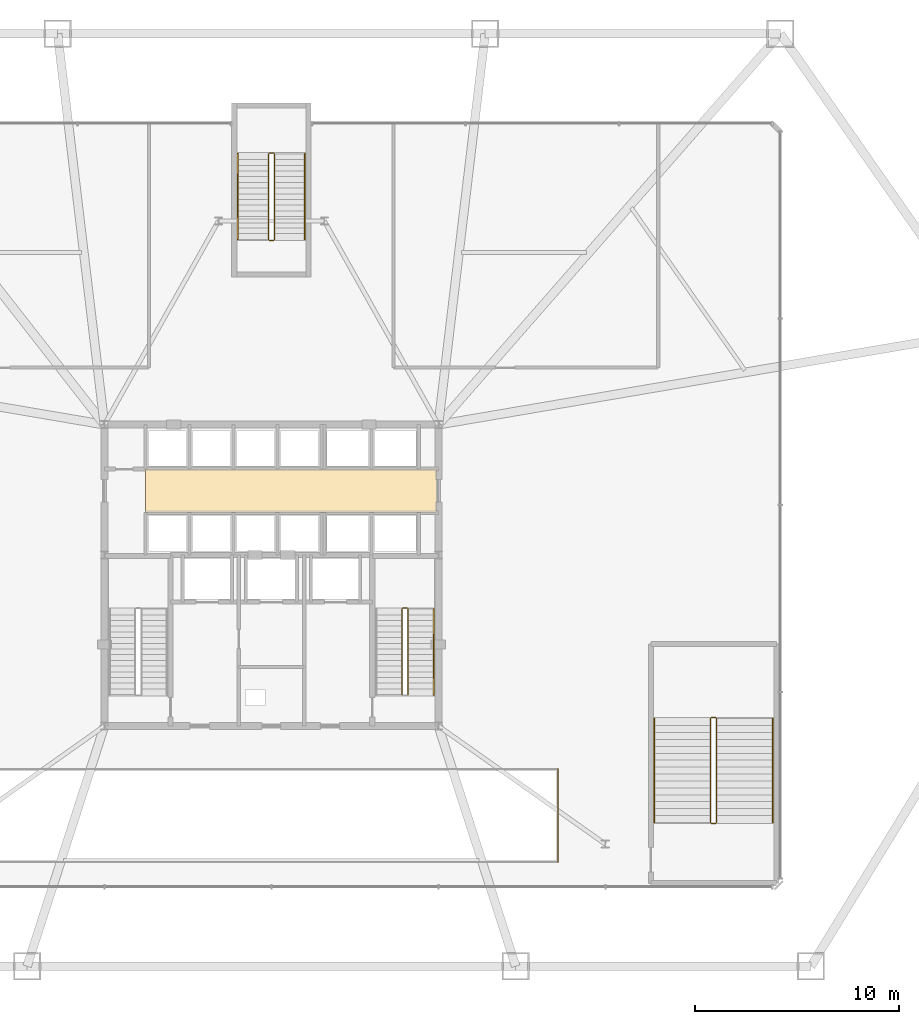
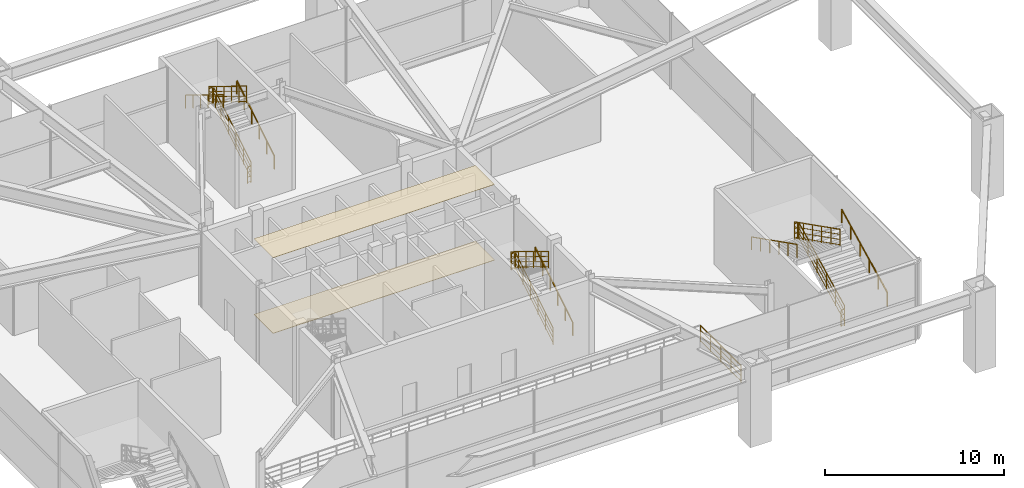
# One storey, part 18 of 18: 17 railings, 2 coverings.
"""IFC4 building model written with IfcOpenShell, lengths in metres."""

import ifcopenshell
import ifcopenshell.guid

model = None  # the IFC model being written
_history = None  # IfcOwnerHistory: only IFC2X3 demands one
_inside = {}  # id of a spatial element -> (the spatial element, [elements in it])
_under = {}  # id of a project, library or spatial element -> (it, [spatial elements below it])
_declared = {}  # id of a project -> (the project, [libraries it declares])
_typed = {}  # id of a type object -> (the type object, [elements of that type])
_made_of = {}  # id of a material, layer set ... -> (it, [elements and type objects made of it])


def new_model(schema):
    """Start an empty IFC model of exactly this schema.

    Asked for "IFC4X3", IfcOpenShell would pick the latest addendum, in which some entities
    have other attributes; the version numbers below select the first issue.
    IFC2X3 requires an IfcOwnerHistory on every rooted entity: one is made here for all.
    """
    global model, _history
    if schema == "IFC4X3":
        model = ifcopenshell.file(schema_version=(4, 3, 0, 0))
    else:
        model = ifcopenshell.file(schema=schema)
    _inside.clear()
    _under.clear()
    _declared.clear()
    _typed.clear()
    _made_of.clear()
    _history = None
    if model.schema == "IFC2X3":
        org = make("IfcOrganization", Name="unknown")
        user = make(
            "IfcPersonAndOrganization",
            ThePerson=make("IfcPerson", FamilyName="unknown"),
            TheOrganization=org,
        )
        app = make(
            "IfcApplication",
            ApplicationDeveloper=org,
            Version="unknown",
            ApplicationFullName="unknown",
            ApplicationIdentifier="unknown",
        )
        _history = make(
            "IfcOwnerHistory",
            OwningUser=user,
            OwningApplication=app,
            ChangeAction="ADDED",
            CreationDate=0,
        )
    return model


def make(cls, **values):
    """One entity of the class cls with the attributes given. An attribute that is None is left unset."""
    return model.create_entity(
        cls, **{name: value for name, value in values.items() if value is not None}
    )


def rooted(cls, **values):
    """An entity with a GlobalId (a new one), such as an element, a storey or a relation."""
    return make(cls, GlobalId=ifcopenshell.guid.new(), OwnerHistory=_history, **values)


def si_unit(unit_type, name, prefix=None):
    """IfcSIUnit, for example si_unit("LENGTHUNIT", "METRE", prefix="MILLI")."""
    return make("IfcSIUnit", UnitType=unit_type, Prefix=prefix, Name=name)


def assignment(units):
    """IfcUnitAssignment: the units of a project."""
    return None if units is None else make("IfcUnitAssignment", Units=units)


def point(xyz):
    """IfcCartesianPoint."""
    return None if xyz is None else make("IfcCartesianPoint", Coordinates=xyz)


def direction(xyz):
    """IfcDirection."""
    return None if xyz is None else make("IfcDirection", DirectionRatios=xyz)


def frame(location, z_axis=None, x_axis=None):
    """IfcAxis2Placement3D, a coordinate frame: its origin and axes. An axis left out is left unset."""
    return make(
        "IfcAxis2Placement3D",
        Location=point(location),
        Axis=direction(z_axis),
        RefDirection=direction(x_axis),
    )


def frame_2d(location, x_axis=None):
    """IfcAxis2Placement2D, a coordinate frame in the plane: its origin and x axis."""
    return make(
        "IfcAxis2Placement2D", Location=point(location), RefDirection=direction(x_axis)
    )


def origin():
    """The frame at (0, 0, 0) with its axes left unset."""
    return frame((0.0, 0.0, 0.0))


def origin_2d():
    """The frame at (0, 0) in the plane with its x axis left unset."""
    return frame_2d((0.0, 0.0))


def place(relative_to, where):
    """IfcLocalPlacement: puts the frame where relative to a parent placement (None: the world)."""
    return make(
        "IfcLocalPlacement", PlacementRelTo=relative_to, RelativePlacement=where
    )


def context(
    kind, dimensions, precision=None, world=None, true_north=None, identifier=None
):
    """IfcGeometricRepresentationContext, for example the 3D "Model" context."""
    return make(
        "IfcGeometricRepresentationContext",
        ContextIdentifier=identifier,
        ContextType=kind,
        CoordinateSpaceDimension=dimensions,
        Precision=precision,
        WorldCoordinateSystem=world,
        TrueNorth=true_north,
    )


def subcontext(parent, identifier, kind, view, scale=None):
    """IfcGeometricRepresentationSubContext, for example "Body" below "Model"."""
    return make(
        "IfcGeometricRepresentationSubContext",
        ContextIdentifier=identifier,
        ContextType=kind,
        ParentContext=parent,
        TargetScale=scale,
        TargetView=view,
    )


def project(units=None, contexts=None):
    """IfcProject with its units and contexts."""
    return rooted(
        "IfcProject",
        Name="project",
        RepresentationContexts=contexts,
        UnitsInContext=assignment(units),
    )


def spatial(cls, under=None, at=None, **own):
    """A site, building, storey or space (cls), placed at a placement, below another one or the project."""
    s = rooted(cls, ObjectPlacement=at, **own)
    if under is not None:
        _under.setdefault(under.id(), (under, []))[1].append(s)
    return s


def polyline(points):
    """IfcPolyline through the points."""
    return make("IfcPolyline", Points=[point(p) for p in points])


def profile(cls, at=None, kind="AREA", **sizes):
    """A parametric profile (cls). Its sizes go by their IFC names, for example OverallWidth=200.0."""
    return make(cls, ProfileType=kind, Position=at, **sizes)


def rectangle(**sizes):
    """IfcRectangleProfileDef."""
    return profile("IfcRectangleProfileDef", **sizes)


def outline(outer, holes=None, kind="AREA"):
    """IfcArbitraryClosedProfileDef: a profile drawn as a closed curve; with holes, ...WithVoids."""
    if holes is None:
        return make("IfcArbitraryClosedProfileDef", ProfileType=kind, OuterCurve=outer)
    return make(
        "IfcArbitraryProfileDefWithVoids",
        ProfileType=kind,
        OuterCurve=outer,
        InnerCurves=holes,
    )


def extrude(swept, where, along, depth):
    """IfcExtrudedAreaSolid: the profile swept, set in the frame where, extruded along a direction by depth."""
    return make(
        "IfcExtrudedAreaSolid",
        SweptArea=swept,
        Position=where,
        ExtrudedDirection=direction(along),
        Depth=depth,
    )


def shape(context_of_items, identifier, shape_type, items):
    """IfcShapeRepresentation: the items that make up one representation, for example the "Body"."""
    return make(
        "IfcShapeRepresentation",
        ContextOfItems=context_of_items,
        RepresentationIdentifier=identifier,
        RepresentationType=shape_type,
        Items=items,
    )


def material(Name=None, Category=None):
    """IfcMaterial."""
    return make("IfcMaterial", Name=Name, Category=Category)


def layer(
    of_material, thickness, ventilated=None, Name=None, Category=None, Priority=None
):
    """IfcMaterialLayer: one layer of a wall or slab, of a material (None: an air gap)."""
    return make(
        "IfcMaterialLayer",
        Material=of_material,
        LayerThickness=thickness,
        IsVentilated=ventilated,
        Name=Name,
        Category=Category,
        Priority=Priority,
    )


def layer_set(layers, Name=None):
    """IfcMaterialLayerSet."""
    return make("IfcMaterialLayerSet", MaterialLayers=layers, LayerSetName=Name)


def made_of(thing, what):
    """Note that an element or type object is made of a material, layer set ...; save() writes the relation."""
    if what is not None:
        _made_of.setdefault(what.id(), (what, []))[1].append(thing)
    return thing


def type_object(cls, material=None, **own):
    """A type object (cls), such as IfcWallType, which elements share."""
    return made_of(rooted(cls, **own), material)


def element(
    cls,
    number,
    at=None,
    inside=None,
    cuts=None,
    type_object=None,
    material=None,
    context=None,
    identifier="Body",
    shape_type=None,
    held_by="IfcProductDefinitionShape",
    body=None,
    shapes=None,
    **own,
):
    """One element of the class cls, such as IfcWall. Its Tag is "e" and its number.

    at: its placement. inside: the storey or other place that contains it. cuts: it is an
    opening in that element (IfcRelVoidsElement). A single representation is given by context,
    identifier, shape_type and body (its items); several are given by shapes. held_by: the class
    of the entity that holds the representations. save() writes the other relations.
    """
    e = rooted(cls, Tag="e%d" % number, ObjectPlacement=at, **own)
    if body is not None:
        shapes = [shape(context, identifier, shape_type, body)]
    if shapes is not None:
        e.Representation = make(held_by, Representations=shapes)
    if inside is not None:
        _inside.setdefault(inside.id(), (inside, []))[1].append(e)
    if cuts is not None:
        rooted(
            "IfcRelVoidsElement", RelatingBuildingElement=cuts, RelatedOpeningElement=e
        )
    if type_object is not None:
        _typed.setdefault(type_object.id(), (type_object, []))[1].append(e)
    return made_of(e, material)


def aggregate(whole, parts):
    """IfcRelAggregates: a whole, such as a stair, and the parts it consists of."""
    return rooted("IfcRelAggregates", RelatingObject=whole, RelatedObjects=parts)


def save(model, path):
    """Write the relations noted so far, then the file.

    IfcRelAggregates (storeys below a building ...), IfcRelContainedInSpatialStructure (elements
    in a storey), IfcRelDefinesByType, IfcRelAssociatesMaterial and IfcRelDeclares: one each for
    every whole, place, type object, material and project.
    """
    for whole, parts in _under.values():
        aggregate(whole, parts)
    for where, things in _inside.values():
        rooted(
            "IfcRelContainedInSpatialStructure",
            RelatedElements=things,
            RelatingStructure=where,
        )
    for kind, things in _typed.values():
        rooted("IfcRelDefinesByType", RelatedObjects=things, RelatingType=kind)
    for what, things in _made_of.values():
        rooted("IfcRelAssociatesMaterial", RelatedObjects=things, RelatingMaterial=what)
    for by, libraries in _declared.values():
        rooted("IfcRelDeclares", RelatingContext=by, RelatedDefinitions=libraries)
    model.write(path)


model = new_model("IFC4")

# Units and contexts
model_context = context("Model", 3, precision=1e-05, world=origin(), true_north=direction((0.0, 1.0)))
body_context = subcontext(model_context, "Body", "Model", "MODEL_VIEW")
ifc_project = project(units=[si_unit("LENGTHUNIT", "METRE"), si_unit("AREAUNIT", "SQUARE_METRE"), si_unit("VOLUMEUNIT", "CUBIC_METRE"), si_unit("PLANEANGLEUNIT", "RADIAN"), si_unit("MASSUNIT", "GRAM", prefix="KILO")], contexts=[model_context])

# Site, building, storey
site_placement = place(None, origin())
site = spatial("IfcSite", under=ifc_project, at=site_placement, CompositionType="ELEMENT")
building_placement = place(site_placement, origin())
building = spatial("IfcBuilding", under=site, at=building_placement, Name="Varakhsha Concourse Tower", CompositionType="ELEMENT")
storey_placement = place(building_placement, frame((0.0, 0.0, 5.5)))
storey = spatial("IfcBuildingStorey", under=building, at=storey_placement, Name="L02", CompositionType="ELEMENT", Elevation=5.5)

# Coverings
ifc_material_1 = material(Name="Mineral Fibre Acoustic Lay-In Ceiling Tile 20 mm", Category="mineral")
ifc_layer_1 = layer(ifc_material_1, 0.02001953125, Name="COV-CEIL-20")
ifc_layer_set_1 = layer_set([ifc_layer_1], Name="Mineral Fibre Acoustic Lay-In Ceiling Tile 20 mm")
covering_type_1 = type_object("IfcCoveringType", Name="COV-CEIL-20", PredefinedType="CEILING", material=ifc_layer_set_1)
covering_1_placement = place(storey_placement, frame((0.0, 0.0, 5.159912109375)))
element("IfcCovering", 1, at=covering_1_placement, inside=storey, type_object=covering_type_1, Name="L02 Lift Lobby Acoustic Ceiling", PredefinedType="CEILING", context=body_context, shape_type="SweptSolid", body=[
    extrude(outline(polyline([(33.820068359375, 26.8798828125), (48.10009765625, 26.8798828125), (48.10009765625, 29.02001953125), (33.820068359375, 29.02001953125), (33.820068359375, 26.8798828125)])), origin(), (0.0, 0.0, 1.0), 0.02001953125),
])
ifc_material_2 = material(Name="Polished Samarkand Aggregate Terrazzo Flooring 25 mm", Category="concrete")
ifc_layer_2 = layer(ifc_material_2, 0.02490234375, Name="COV-FLOOR-25")
ifc_layer_set_2 = layer_set([ifc_layer_2], Name="Polished Samarkand Aggregate Terrazzo Flooring 25 mm")
covering_type_2 = type_object("IfcCoveringType", Name="COV-FLOOR-25", PredefinedType="FLOORING", material=ifc_layer_set_2)
covering_2_placement = place(storey_placement, origin())
element("IfcCovering", 2, at=covering_2_placement, inside=storey, type_object=covering_type_2, Name="L02 Lift Lobby Terrazzo Flooring", PredefinedType="FLOORING", context=body_context, shape_type="SweptSolid", body=[
    extrude(outline(polyline([(33.820068359375, 26.8798828125), (48.10009765625, 26.8798828125), (48.10009765625, 29.02001953125), (33.820068359375, 29.02001953125), (33.820068359375, 26.8798828125)])), origin(), (0.0, 0.0, 1.0), 0.02490234375),
])

# Railings
ifc_material_3 = material(Name="Brushed Austenitic Stainless Steel AISI 316", Category="steel")
railing_type_1 = type_object("IfcRailingType", Name="RL-INT-GUARD-1120", PredefinedType="GUARDRAIL", material=ifc_material_3)
railing_1_placement = place(storey_placement, frame((54.080078125, 9.719970703125, 0.0)))
element("IfcRailing", 3, at=railing_1_placement, inside=storey, type_object=railing_type_1, Name="L02 Concourse Atrium Balustrade 2", PredefinedType="GUARDRAIL", context=body_context, shape_type="SweptSolid", body=[
    extrude(rectangle(XDim=0.048095703125, YDim=0.048095703125, at=origin_2d()), frame((0.0, 0.0, 1.1259765625), z_axis=(0.0, 1.0, 0.0), x_axis=(-1.0, 0.0, 0.0)), (0.0, 0.0, 1.0), 4.56005859375),
    extrude(rectangle(XDim=0.028076171875, YDim=0.028076171875, at=origin_2d()), frame((0.0, 0.0, 0.080078125), z_axis=(0.0, 1.0, 0.0), x_axis=(-1.0, 0.0, 0.0)), (0.0, 0.0, 1.0), 4.56005859375),
    extrude(rectangle(XDim=0.028076171875, YDim=0.028076171875, at=origin_2d()), frame((0.0, 0.0, 0.43701171875), z_axis=(0.0, 1.0, 0.0), x_axis=(-1.0, 0.0, 0.0)), (0.0, 0.0, 1.0), 4.56005859375),
    extrude(rectangle(XDim=0.028076171875, YDim=0.028076171875, at=origin_2d()), frame((0.0, 0.0, 0.781982421875), z_axis=(0.0, 1.0, 0.0), x_axis=(-1.0, 0.0, 0.0)), (0.0, 0.0, 1.0), 4.56005859375),
    extrude(rectangle(XDim=0.0419921875, YDim=0.0419921875, at=origin_2d()), origin(), (0.0, 0.0, 1.0), 1.101806640625),
    extrude(rectangle(XDim=0.0419921875, YDim=0.0419921875, at=origin_2d()), frame((0.0, 1.14013671875, 0.0)), (0.0, 0.0, 1.0), 1.101806640625),
    extrude(rectangle(XDim=0.0419921875, YDim=0.0419921875, at=origin_2d()), frame((0.0, 2.280029296875, 0.0)), (0.0, 0.0, 1.0), 1.101806640625),
    extrude(rectangle(XDim=0.0419921875, YDim=0.0419921875, at=origin_2d()), frame((0.0, 3.419921875, 0.0)), (0.0, 0.0, 1.0), 1.101806640625),
    extrude(rectangle(XDim=0.0419921875, YDim=0.0419921875, at=origin_2d()), frame((0.0, 4.56005859375, 0.0)), (0.0, 0.0, 1.0), 1.101806640625),
])
railing_type_2 = type_object("IfcRailingType", Name="RL-STAIR-GUARD-1100", PredefinedType="GUARDRAIL", material=ifc_material_3)
railing_2_placement = place(storey_placement, frame((46.7099609375, 17.93994140625, 0.171875)))
element("IfcRailing", 4, at=railing_2_placement, inside=storey, type_object=railing_type_2, Name="L02 ST2 stair guard 1", PredefinedType="GUARDRAIL", context=body_context, shape_type="SweptSolid", body=[
    extrude(rectangle(XDim=0.048095703125, YDim=0.048095703125, at=origin_2d()), frame((0.0, 0.0, 1.1259765625), z_axis=(0.0, 0.852242915053, 0.523146264196), x_axis=(-1.0, 0.0, 0.0)), (0.0, 0.0, 1.0), 4.92822265625),
    extrude(rectangle(XDim=0.028076171875, YDim=0.028076171875, at=origin_2d()), frame((0.0, 0.0, 0.080078125), z_axis=(0.0, 0.852242915053, 0.523146264196), x_axis=(-1.0, 0.0, 0.0)), (0.0, 0.0, 1.0), 4.92822265625),
    extrude(rectangle(XDim=0.028076171875, YDim=0.028076171875, at=origin_2d()), frame((0.0, 0.0, 0.43701171875), z_axis=(0.0, 0.852242915053, 0.523146264196), x_axis=(-1.0, 0.0, 0.0)), (0.0, 0.0, 1.0), 4.92822265625),
    extrude(rectangle(XDim=0.028076171875, YDim=0.028076171875, at=origin_2d()), frame((0.0, 0.0, 0.781982421875), z_axis=(0.0, 0.852242915053, 0.523146264196), x_axis=(-1.0, 0.0, 0.0)), (0.0, 0.0, 1.0), 4.92822265625),
    extrude(rectangle(XDim=0.0419921875, YDim=0.0419921875, at=origin_2d()), origin(), (0.0, 0.0, 1.0), 1.101806640625),
    extrude(rectangle(XDim=0.0419921875, YDim=0.0419921875, at=origin_2d()), frame((0.0, 0.840087890625, 0.515625)), (0.0, 0.0, 1.0), 1.101806640625),
    extrude(rectangle(XDim=0.0419921875, YDim=0.0419921875, at=origin_2d()), frame((0.0, 1.679931640625, 1.03125)), (0.0, 0.0, 1.0), 1.101806640625),
    extrude(rectangle(XDim=0.0419921875, YDim=0.0419921875, at=origin_2d()), frame((0.0, 2.52001953125, 1.546875)), (0.0, 0.0, 1.0), 1.101806640625),
    extrude(rectangle(XDim=0.0419921875, YDim=0.0419921875, at=origin_2d()), frame((0.0, 3.35986328125, 2.0625)), (0.0, 0.0, 1.0), 1.101806640625),
    extrude(rectangle(XDim=0.0419921875, YDim=0.0419921875, at=origin_2d()), frame((0.0, 4.199951171875, 2.578125)), (0.0, 0.0, 1.0), 1.101806640625),
])
railing_3_placement = place(storey_placement, frame((46.659912109375, 22.18994140625, 2.75)))
element("IfcRailing", 5, at=railing_3_placement, inside=storey, type_object=railing_type_2, Name="L02 ST2 stair guard 2", PredefinedType="GUARDRAIL", context=body_context, shape_type="SweptSolid", body=[
    extrude(rectangle(XDim=0.048095703125, YDim=0.048095703125, at=origin_2d()), frame((0.0, 0.0, 1.1259765625), z_axis=(-1.0, 0.0, 0.0), x_axis=(0.0, -1.0, 0.0)), (0.0, 0.0, 1.0), 0.199951171875),
    extrude(rectangle(XDim=0.028076171875, YDim=0.028076171875, at=origin_2d()), frame((0.0, 0.0, 0.080078125), z_axis=(-1.0, 0.0, 0.0), x_axis=(0.0, -1.0, 0.0)), (0.0, 0.0, 1.0), 0.199951171875),
    extrude(rectangle(XDim=0.028076171875, YDim=0.028076171875, at=origin_2d()), frame((0.0, 0.0, 0.43701171875), z_axis=(-1.0, 0.0, 0.0), x_axis=(0.0, -1.0, 0.0)), (0.0, 0.0, 1.0), 0.199951171875),
    extrude(rectangle(XDim=0.028076171875, YDim=0.028076171875, at=origin_2d()), frame((0.0, 0.0, 0.781982421875), z_axis=(-1.0, 0.0, 0.0), x_axis=(0.0, -1.0, 0.0)), (0.0, 0.0, 1.0), 0.199951171875),
    extrude(rectangle(XDim=0.0419921875, YDim=0.0419921875, at=origin_2d()), origin(), (0.0, 0.0, 1.0), 1.101806640625),
    extrude(rectangle(XDim=0.0419921875, YDim=0.0419921875, at=origin_2d()), frame((-0.199951171875, 0.0, 0.0)), (0.0, 0.0, 1.0), 1.101806640625),
])
railing_4_placement = place(storey_placement, frame((46.409912109375, 22.139892578125, 2.921875)))
element("IfcRailing", 6, at=railing_4_placement, inside=storey, type_object=railing_type_2, Name="L02 ST2 stair guard 3", PredefinedType="GUARDRAIL", context=body_context, shape_type="SweptSolid", body=[
    extrude(rectangle(XDim=0.048095703125, YDim=0.048095703125, at=origin_2d()), frame((0.0, 0.0, 1.1259765625), z_axis=(0.0, -0.852242915053, 0.523146264196), x_axis=(1.0, 0.0, 0.0)), (0.0, 0.0, 1.0), 4.92822265625),
    extrude(rectangle(XDim=0.028076171875, YDim=0.028076171875, at=origin_2d()), frame((0.0, 0.0, 0.080078125), z_axis=(0.0, -0.852242915053, 0.523146264196), x_axis=(1.0, 0.0, 0.0)), (0.0, 0.0, 1.0), 4.92822265625),
    extrude(rectangle(XDim=0.028076171875, YDim=0.028076171875, at=origin_2d()), frame((0.0, 0.0, 0.43701171875), z_axis=(0.0, -0.852242915053, 0.523146264196), x_axis=(1.0, 0.0, 0.0)), (0.0, 0.0, 1.0), 4.92822265625),
    extrude(rectangle(XDim=0.028076171875, YDim=0.028076171875, at=origin_2d()), frame((0.0, 0.0, 0.781982421875), z_axis=(0.0, -0.852242915053, 0.523146264196), x_axis=(1.0, 0.0, 0.0)), (0.0, 0.0, 1.0), 4.92822265625),
    extrude(rectangle(XDim=0.0419921875, YDim=0.0419921875, at=origin_2d()), origin(), (0.0, 0.0, 1.0), 1.101806640625),
    extrude(rectangle(XDim=0.0419921875, YDim=0.0419921875, at=origin_2d()), frame((0.0, -0.840087890625, 0.515625)), (0.0, 0.0, 1.0), 1.101806640625),
    extrude(rectangle(XDim=0.0419921875, YDim=0.0419921875, at=origin_2d()), frame((0.0, -1.679931640625, 1.03125)), (0.0, 0.0, 1.0), 1.101806640625),
    extrude(rectangle(XDim=0.0419921875, YDim=0.0419921875, at=origin_2d()), frame((0.0, -2.52001953125, 1.546875)), (0.0, 0.0, 1.0), 1.101806640625),
    extrude(rectangle(XDim=0.0419921875, YDim=0.0419921875, at=origin_2d()), frame((0.0, -3.35986328125, 2.0625)), (0.0, 0.0, 1.0), 1.101806640625),
    extrude(rectangle(XDim=0.0419921875, YDim=0.0419921875, at=origin_2d()), frame((0.0, -4.199951171875, 2.578125)), (0.0, 0.0, 1.0), 1.101806640625),
])
railing_5_placement = place(storey_placement, frame((61.8701171875, 11.659912109375, 0.171875)))
element("IfcRailing", 7, at=railing_5_placement, inside=storey, type_object=railing_type_2, Name="L02 ST4 stair guard 1", PredefinedType="GUARDRAIL", context=body_context, shape_type="SweptSolid", body=[
    extrude(rectangle(XDim=0.048095703125, YDim=0.048095703125, at=origin_2d()), frame((0.0, 0.0, 1.1259765625), z_axis=(0.0, 0.892453363607, 0.451139661067), x_axis=(-1.0, 0.0, 0.0)), (0.0, 0.0, 1.0), 5.714599609375),
    extrude(rectangle(XDim=0.028076171875, YDim=0.028076171875, at=origin_2d()), frame((0.0, 0.0, 0.080078125), z_axis=(0.0, 0.892453363607, 0.451139661067), x_axis=(-1.0, 0.0, 0.0)), (0.0, 0.0, 1.0), 5.714599609375),
    extrude(rectangle(XDim=0.028076171875, YDim=0.028076171875, at=origin_2d()), frame((0.0, 0.0, 0.43701171875), z_axis=(0.0, 0.892453363607, 0.451139661067), x_axis=(-1.0, 0.0, 0.0)), (0.0, 0.0, 1.0), 5.714599609375),
    extrude(rectangle(XDim=0.028076171875, YDim=0.028076171875, at=origin_2d()), frame((0.0, 0.0, 0.781982421875), z_axis=(0.0, 0.892453363607, 0.451139661067), x_axis=(-1.0, 0.0, 0.0)), (0.0, 0.0, 1.0), 5.714599609375),
    extrude(rectangle(XDim=0.0419921875, YDim=0.0419921875, at=origin_2d()), origin(), (0.0, 0.0, 1.0), 1.101806640625),
    extrude(rectangle(XDim=0.0419921875, YDim=0.0419921875, at=origin_2d()), frame((0.0, 1.02001953125, 0.515625)), (0.0, 0.0, 1.0), 1.101806640625),
    extrude(rectangle(XDim=0.0419921875, YDim=0.0419921875, at=origin_2d()), frame((0.0, 2.0400390625, 1.03125)), (0.0, 0.0, 1.0), 1.101806640625),
    extrude(rectangle(XDim=0.0419921875, YDim=0.0419921875, at=origin_2d()), frame((0.0, 3.06005859375, 1.546875)), (0.0, 0.0, 1.0), 1.101806640625),
    extrude(rectangle(XDim=0.0419921875, YDim=0.0419921875, at=origin_2d()), frame((0.0, 4.080078125, 2.0625)), (0.0, 0.0, 1.0), 1.101806640625),
    extrude(rectangle(XDim=0.0419921875, YDim=0.0419921875, at=origin_2d()), frame((0.0, 5.10009765625, 2.578125)), (0.0, 0.0, 1.0), 1.101806640625),
])
railing_6_placement = place(storey_placement, frame((61.820068359375, 16.81005859375, 2.75)))
element("IfcRailing", 8, at=railing_6_placement, inside=storey, type_object=railing_type_2, Name="L02 ST4 stair guard 2", PredefinedType="GUARDRAIL", context=body_context, shape_type="SweptSolid", body=[
    extrude(rectangle(XDim=0.048095703125, YDim=0.048095703125, at=origin_2d()), frame((0.0, 0.0, 1.1259765625), z_axis=(-1.0, 0.0, 0.0), x_axis=(0.0, -1.0, 0.0)), (0.0, 0.0, 1.0), 0.199951171875),
    extrude(rectangle(XDim=0.028076171875, YDim=0.028076171875, at=origin_2d()), frame((0.0, 0.0, 0.080078125), z_axis=(-1.0, 0.0, 0.0), x_axis=(0.0, -1.0, 0.0)), (0.0, 0.0, 1.0), 0.199951171875),
    extrude(rectangle(XDim=0.028076171875, YDim=0.028076171875, at=origin_2d()), frame((0.0, 0.0, 0.43701171875), z_axis=(-1.0, 0.0, 0.0), x_axis=(0.0, -1.0, 0.0)), (0.0, 0.0, 1.0), 0.199951171875),
    extrude(rectangle(XDim=0.028076171875, YDim=0.028076171875, at=origin_2d()), frame((0.0, 0.0, 0.781982421875), z_axis=(-1.0, 0.0, 0.0), x_axis=(0.0, -1.0, 0.0)), (0.0, 0.0, 1.0), 0.199951171875),
    extrude(rectangle(XDim=0.0419921875, YDim=0.0419921875, at=origin_2d()), origin(), (0.0, 0.0, 1.0), 1.101806640625),
    extrude(rectangle(XDim=0.0419921875, YDim=0.0419921875, at=origin_2d()), frame((-0.199951171875, 0.0, 0.0)), (0.0, 0.0, 1.0), 1.101806640625),
])
railing_7_placement = place(storey_placement, frame((61.570068359375, 16.760009765625, 2.921875)))
element("IfcRailing", 9, at=railing_7_placement, inside=storey, type_object=railing_type_2, Name="L02 ST4 stair guard 3", PredefinedType="GUARDRAIL", context=body_context, shape_type="SweptSolid", body=[
    extrude(rectangle(XDim=0.048095703125, YDim=0.048095703125, at=origin_2d()), frame((0.0, 0.0, 1.1259765625), z_axis=(0.0, -0.892453363607, 0.451139661067), x_axis=(1.0, 0.0, 0.0)), (0.0, 0.0, 1.0), 5.714599609375),
    extrude(rectangle(XDim=0.028076171875, YDim=0.028076171875, at=origin_2d()), frame((0.0, 0.0, 0.080078125), z_axis=(0.0, -0.892453363607, 0.451139661067), x_axis=(1.0, 0.0, 0.0)), (0.0, 0.0, 1.0), 5.714599609375),
    extrude(rectangle(XDim=0.028076171875, YDim=0.028076171875, at=origin_2d()), frame((0.0, 0.0, 0.43701171875), z_axis=(0.0, -0.892453363607, 0.451139661067), x_axis=(1.0, 0.0, 0.0)), (0.0, 0.0, 1.0), 5.714599609375),
    extrude(rectangle(XDim=0.028076171875, YDim=0.028076171875, at=origin_2d()), frame((0.0, 0.0, 0.781982421875), z_axis=(0.0, -0.892453363607, 0.451139661067), x_axis=(1.0, 0.0, 0.0)), (0.0, 0.0, 1.0), 5.714599609375),
    extrude(rectangle(XDim=0.0419921875, YDim=0.0419921875, at=origin_2d()), origin(), (0.0, 0.0, 1.0), 1.101806640625),
    extrude(rectangle(XDim=0.0419921875, YDim=0.0419921875, at=origin_2d()), frame((0.0, -1.02001953125, 0.515625)), (0.0, 0.0, 1.0), 1.101806640625),
    extrude(rectangle(XDim=0.0419921875, YDim=0.0419921875, at=origin_2d()), frame((0.0, -2.0400390625, 1.03125)), (0.0, 0.0, 1.0), 1.101806640625),
    extrude(rectangle(XDim=0.0419921875, YDim=0.0419921875, at=origin_2d()), frame((0.0, -3.06005859375, 1.546875)), (0.0, 0.0, 1.0), 1.101806640625),
    extrude(rectangle(XDim=0.0419921875, YDim=0.0419921875, at=origin_2d()), frame((0.0, -4.080078125, 2.0625)), (0.0, 0.0, 1.0), 1.101806640625),
    extrude(rectangle(XDim=0.0419921875, YDim=0.0419921875, at=origin_2d()), frame((0.0, -5.10009765625, 2.578125)), (0.0, 0.0, 1.0), 1.101806640625),
])
railing_8_placement = place(storey_placement, frame((61.820068359375, 11.610107421875, 0.0)))
element("IfcRailing", 10, at=railing_8_placement, inside=storey, type_object=railing_type_2, Name="L02 ST4 stair guard 4", PredefinedType="GUARDRAIL", context=body_context, shape_type="SweptSolid", body=[
    extrude(rectangle(XDim=0.048095703125, YDim=0.048095703125, at=origin_2d()), frame((0.0, 0.0, 1.1259765625), z_axis=(-1.0, 0.0, 0.0), x_axis=(0.0, -1.0, 0.0)), (0.0, 0.0, 1.0), 0.199951171875),
    extrude(rectangle(XDim=0.028076171875, YDim=0.028076171875, at=origin_2d()), frame((0.0, 0.0, 0.080078125), z_axis=(-1.0, 0.0, 0.0), x_axis=(0.0, -1.0, 0.0)), (0.0, 0.0, 1.0), 0.199951171875),
    extrude(rectangle(XDim=0.028076171875, YDim=0.028076171875, at=origin_2d()), frame((0.0, 0.0, 0.43701171875), z_axis=(-1.0, 0.0, 0.0), x_axis=(0.0, -1.0, 0.0)), (0.0, 0.0, 1.0), 0.199951171875),
    extrude(rectangle(XDim=0.028076171875, YDim=0.028076171875, at=origin_2d()), frame((0.0, 0.0, 0.781982421875), z_axis=(-1.0, 0.0, 0.0), x_axis=(0.0, -1.0, 0.0)), (0.0, 0.0, 1.0), 0.199951171875),
    extrude(rectangle(XDim=0.0419921875, YDim=0.0419921875, at=origin_2d()), origin(), (0.0, 0.0, 1.0), 1.101806640625),
    extrude(rectangle(XDim=0.0419921875, YDim=0.0419921875, at=origin_2d()), frame((-0.199951171875, 0.0, 0.0)), (0.0, 0.0, 1.0), 1.101806640625),
])
railing_9_placement = place(storey_placement, frame((40.14990234375, 40.300048828125, 0.171875)))
element("IfcRailing", 11, at=railing_9_placement, inside=storey, type_object=railing_type_2, Name="L02 ST5 stair guard 1", PredefinedType="GUARDRAIL", context=body_context, shape_type="SweptSolid", body=[
    extrude(rectangle(XDim=0.048095703125, YDim=0.048095703125, at=origin_2d()), frame((0.0, 0.0, 1.1259765625), z_axis=(0.0, 0.852242915053, 0.523146264196), x_axis=(-1.0, 0.0, 0.0)), (0.0, 0.0, 1.0), 4.92822265625),
    extrude(rectangle(XDim=0.028076171875, YDim=0.028076171875, at=origin_2d()), frame((0.0, 0.0, 0.080078125), z_axis=(0.0, 0.852242915053, 0.523146264196), x_axis=(-1.0, 0.0, 0.0)), (0.0, 0.0, 1.0), 4.92822265625),
    extrude(rectangle(XDim=0.028076171875, YDim=0.028076171875, at=origin_2d()), frame((0.0, 0.0, 0.43701171875), z_axis=(0.0, 0.852242915053, 0.523146264196), x_axis=(-1.0, 0.0, 0.0)), (0.0, 0.0, 1.0), 4.92822265625),
    extrude(rectangle(XDim=0.028076171875, YDim=0.028076171875, at=origin_2d()), frame((0.0, 0.0, 0.781982421875), z_axis=(0.0, 0.852242915053, 0.523146264196), x_axis=(-1.0, 0.0, 0.0)), (0.0, 0.0, 1.0), 4.92822265625),
    extrude(rectangle(XDim=0.0419921875, YDim=0.0419921875, at=origin_2d()), origin(), (0.0, 0.0, 1.0), 1.101806640625),
    extrude(rectangle(XDim=0.0419921875, YDim=0.0419921875, at=origin_2d()), frame((0.0, 0.840087890625, 0.515625)), (0.0, 0.0, 1.0), 1.101806640625),
    extrude(rectangle(XDim=0.0419921875, YDim=0.0419921875, at=origin_2d()), frame((0.0, 1.679931640625, 1.03125)), (0.0, 0.0, 1.0), 1.101806640625),
    extrude(rectangle(XDim=0.0419921875, YDim=0.0419921875, at=origin_2d()), frame((0.0, 2.52001953125, 1.546875)), (0.0, 0.0, 1.0), 1.101806640625),
    extrude(rectangle(XDim=0.0419921875, YDim=0.0419921875, at=origin_2d()), frame((0.0, 3.35986328125, 2.0625)), (0.0, 0.0, 1.0), 1.101806640625),
    extrude(rectangle(XDim=0.0419921875, YDim=0.0419921875, at=origin_2d()), frame((0.0, 4.199951171875, 2.578125)), (0.0, 0.0, 1.0), 1.101806640625),
])
railing_10_placement = place(storey_placement, frame((40.10009765625, 44.550048828125, 2.75)))
element("IfcRailing", 12, at=railing_10_placement, inside=storey, type_object=railing_type_2, Name="L02 ST5 stair guard 2", PredefinedType="GUARDRAIL", context=body_context, shape_type="SweptSolid", body=[
    extrude(rectangle(XDim=0.048095703125, YDim=0.048095703125, at=origin_2d()), frame((0.0, 0.0, 1.1259765625), z_axis=(-1.0, 0.0, 0.0), x_axis=(0.0, -1.0, 0.0)), (0.0, 0.0, 1.0), 0.2001953125),
    extrude(rectangle(XDim=0.028076171875, YDim=0.028076171875, at=origin_2d()), frame((0.0, 0.0, 0.080078125), z_axis=(-1.0, 0.0, 0.0), x_axis=(0.0, -1.0, 0.0)), (0.0, 0.0, 1.0), 0.2001953125),
    extrude(rectangle(XDim=0.028076171875, YDim=0.028076171875, at=origin_2d()), frame((0.0, 0.0, 0.43701171875), z_axis=(-1.0, 0.0, 0.0), x_axis=(0.0, -1.0, 0.0)), (0.0, 0.0, 1.0), 0.2001953125),
    extrude(rectangle(XDim=0.028076171875, YDim=0.028076171875, at=origin_2d()), frame((0.0, 0.0, 0.781982421875), z_axis=(-1.0, 0.0, 0.0), x_axis=(0.0, -1.0, 0.0)), (0.0, 0.0, 1.0), 0.2001953125),
    extrude(rectangle(XDim=0.0419921875, YDim=0.0419921875, at=origin_2d()), origin(), (0.0, 0.0, 1.0), 1.101806640625),
    extrude(rectangle(XDim=0.0419921875, YDim=0.0419921875, at=origin_2d()), frame((-0.2001953125, 0.0, 0.0)), (0.0, 0.0, 1.0), 1.101806640625),
])
railing_11_placement = place(storey_placement, frame((39.85009765625, 44.5, 2.921875)))
element("IfcRailing", 13, at=railing_11_placement, inside=storey, type_object=railing_type_2, Name="L02 ST5 stair guard 3", PredefinedType="GUARDRAIL", context=body_context, shape_type="SweptSolid", body=[
    extrude(rectangle(XDim=0.048095703125, YDim=0.048095703125, at=origin_2d()), frame((0.0, 0.0, 1.1259765625), z_axis=(0.0, -0.852242915053, 0.523146264196), x_axis=(1.0, 0.0, 0.0)), (0.0, 0.0, 1.0), 4.92822265625),
    extrude(rectangle(XDim=0.028076171875, YDim=0.028076171875, at=origin_2d()), frame((0.0, 0.0, 0.080078125), z_axis=(0.0, -0.852242915053, 0.523146264196), x_axis=(1.0, 0.0, 0.0)), (0.0, 0.0, 1.0), 4.92822265625),
    extrude(rectangle(XDim=0.028076171875, YDim=0.028076171875, at=origin_2d()), frame((0.0, 0.0, 0.43701171875), z_axis=(0.0, -0.852242915053, 0.523146264196), x_axis=(1.0, 0.0, 0.0)), (0.0, 0.0, 1.0), 4.92822265625),
    extrude(rectangle(XDim=0.028076171875, YDim=0.028076171875, at=origin_2d()), frame((0.0, 0.0, 0.781982421875), z_axis=(0.0, -0.852242915053, 0.523146264196), x_axis=(1.0, 0.0, 0.0)), (0.0, 0.0, 1.0), 4.92822265625),
    extrude(rectangle(XDim=0.0419921875, YDim=0.0419921875, at=origin_2d()), origin(), (0.0, 0.0, 1.0), 1.101806640625),
    extrude(rectangle(XDim=0.0419921875, YDim=0.0419921875, at=origin_2d()), frame((0.0, -0.840087890625, 0.515625)), (0.0, 0.0, 1.0), 1.101806640625),
    extrude(rectangle(XDim=0.0419921875, YDim=0.0419921875, at=origin_2d()), frame((0.0, -1.679931640625, 1.03125)), (0.0, 0.0, 1.0), 1.101806640625),
    extrude(rectangle(XDim=0.0419921875, YDim=0.0419921875, at=origin_2d()), frame((0.0, -2.52001953125, 1.546875)), (0.0, 0.0, 1.0), 1.101806640625),
    extrude(rectangle(XDim=0.0419921875, YDim=0.0419921875, at=origin_2d()), frame((0.0, -3.35986328125, 2.0625)), (0.0, 0.0, 1.0), 1.101806640625),
    extrude(rectangle(XDim=0.0419921875, YDim=0.0419921875, at=origin_2d()), frame((0.0, -4.199951171875, 2.578125)), (0.0, 0.0, 1.0), 1.101806640625),
])
railing_12_placement = place(storey_placement, frame((40.10009765625, 40.25, 0.0)))
element("IfcRailing", 14, at=railing_12_placement, inside=storey, type_object=railing_type_2, Name="L02 ST5 stair guard 4", PredefinedType="GUARDRAIL", context=body_context, shape_type="SweptSolid", body=[
    extrude(rectangle(XDim=0.048095703125, YDim=0.048095703125, at=origin_2d()), frame((0.0, 0.0, 1.1259765625), z_axis=(-1.0, 0.0, 0.0), x_axis=(0.0, -1.0, 0.0)), (0.0, 0.0, 1.0), 0.2001953125),
    extrude(rectangle(XDim=0.028076171875, YDim=0.028076171875, at=origin_2d()), frame((0.0, 0.0, 0.080078125), z_axis=(-1.0, 0.0, 0.0), x_axis=(0.0, -1.0, 0.0)), (0.0, 0.0, 1.0), 0.2001953125),
    extrude(rectangle(XDim=0.028076171875, YDim=0.028076171875, at=origin_2d()), frame((0.0, 0.0, 0.43701171875), z_axis=(-1.0, 0.0, 0.0), x_axis=(0.0, -1.0, 0.0)), (0.0, 0.0, 1.0), 0.2001953125),
    extrude(rectangle(XDim=0.028076171875, YDim=0.028076171875, at=origin_2d()), frame((0.0, 0.0, 0.781982421875), z_axis=(-1.0, 0.0, 0.0), x_axis=(0.0, -1.0, 0.0)), (0.0, 0.0, 1.0), 0.2001953125),
    extrude(rectangle(XDim=0.0419921875, YDim=0.0419921875, at=origin_2d()), origin(), (0.0, 0.0, 1.0), 1.101806640625),
    extrude(rectangle(XDim=0.0419921875, YDim=0.0419921875, at=origin_2d()), frame((-0.2001953125, 0.0, 0.0)), (0.0, 0.0, 1.0), 1.101806640625),
])
railing_type_3 = type_object("IfcRailingType", Name="RL-STAIR-RAIL-915", PredefinedType="HANDRAIL", material=ifc_material_3)
railing_13_placement = place(storey_placement, frame((47.969970703125, 17.93994140625, 0.34375)))
element("IfcRailing", 15, at=railing_13_placement, inside=storey, type_object=railing_type_3, Name="L02 ST2 stair handrail 1", PredefinedType="HANDRAIL", context=body_context, shape_type="SweptSolid", body=[
    extrude(rectangle(XDim=0.048095703125, YDim=0.048095703125, at=origin_2d()), frame((0.0, 0.0, 0.89111328125), z_axis=(0.0, 0.852242915053, 0.523146264196), x_axis=(-1.0, 0.0, 0.0)), (0.0, 0.0, 1.0), 4.92822265625),
    extrude(rectangle(XDim=0.0419921875, YDim=0.0419921875, at=origin_2d()), origin(), (0.0, 0.0, 1.0), 0.866943359375),
    extrude(rectangle(XDim=0.0419921875, YDim=0.0419921875, at=origin_2d()), frame((0.0, 0.840087890625, 0.515625)), (0.0, 0.0, 1.0), 0.866943359375),
    extrude(rectangle(XDim=0.0419921875, YDim=0.0419921875, at=origin_2d()), frame((0.0, 1.679931640625, 1.03125)), (0.0, 0.0, 1.0), 0.866943359375),
    extrude(rectangle(XDim=0.0419921875, YDim=0.0419921875, at=origin_2d()), frame((0.0, 2.52001953125, 1.546875)), (0.0, 0.0, 1.0), 0.866943359375),
    extrude(rectangle(XDim=0.0419921875, YDim=0.0419921875, at=origin_2d()), frame((0.0, 3.35986328125, 2.0625)), (0.0, 0.0, 1.0), 0.866943359375),
    extrude(rectangle(XDim=0.0419921875, YDim=0.0419921875, at=origin_2d()), frame((0.0, 4.199951171875, 2.578125)), (0.0, 0.0, 1.0), 0.866943359375),
])
railing_14_placement = place(storey_placement, frame((64.6298828125, 11.659912109375, 0.34375)))
element("IfcRailing", 16, at=railing_14_placement, inside=storey, type_object=railing_type_3, Name="L02 ST4 stair handrail 1", PredefinedType="HANDRAIL", context=body_context, shape_type="SweptSolid", body=[
    extrude(rectangle(XDim=0.048095703125, YDim=0.048095703125, at=origin_2d()), frame((0.0, 0.0, 0.89111328125), z_axis=(0.0, 0.892453363607, 0.451139661067), x_axis=(-1.0, 0.0, 0.0)), (0.0, 0.0, 1.0), 5.714599609375),
    extrude(rectangle(XDim=0.0419921875, YDim=0.0419921875, at=origin_2d()), origin(), (0.0, 0.0, 1.0), 0.866943359375),
    extrude(rectangle(XDim=0.0419921875, YDim=0.0419921875, at=origin_2d()), frame((0.0, 1.02001953125, 0.515625)), (0.0, 0.0, 1.0), 0.866943359375),
    extrude(rectangle(XDim=0.0419921875, YDim=0.0419921875, at=origin_2d()), frame((0.0, 2.0400390625, 1.03125)), (0.0, 0.0, 1.0), 0.866943359375),
    extrude(rectangle(XDim=0.0419921875, YDim=0.0419921875, at=origin_2d()), frame((0.0, 3.06005859375, 1.546875)), (0.0, 0.0, 1.0), 0.866943359375),
    extrude(rectangle(XDim=0.0419921875, YDim=0.0419921875, at=origin_2d()), frame((0.0, 4.080078125, 2.0625)), (0.0, 0.0, 1.0), 0.866943359375),
    extrude(rectangle(XDim=0.0419921875, YDim=0.0419921875, at=origin_2d()), frame((0.0, 5.10009765625, 2.578125)), (0.0, 0.0, 1.0), 0.866943359375),
])
railing_15_placement = place(storey_placement, frame((58.81005859375, 16.760009765625, 3.09375)))
element("IfcRailing", 17, at=railing_15_placement, inside=storey, type_object=railing_type_3, Name="L02 ST4 stair handrail 2", PredefinedType="HANDRAIL", context=body_context, shape_type="SweptSolid", body=[
    extrude(rectangle(XDim=0.048095703125, YDim=0.048095703125, at=origin_2d()), frame((0.0, 0.0, 0.89111328125), z_axis=(0.0, -0.892453363607, 0.451139661067), x_axis=(1.0, 0.0, 0.0)), (0.0, 0.0, 1.0), 5.714599609375),
    extrude(rectangle(XDim=0.0419921875, YDim=0.0419921875, at=origin_2d()), origin(), (0.0, 0.0, 1.0), 0.866943359375),
    extrude(rectangle(XDim=0.0419921875, YDim=0.0419921875, at=origin_2d()), frame((0.0, -1.02001953125, 0.515625)), (0.0, 0.0, 1.0), 0.866943359375),
    extrude(rectangle(XDim=0.0419921875, YDim=0.0419921875, at=origin_2d()), frame((0.0, -2.0400390625, 1.03125)), (0.0, 0.0, 1.0), 0.866943359375),
    extrude(rectangle(XDim=0.0419921875, YDim=0.0419921875, at=origin_2d()), frame((0.0, -3.06005859375, 1.546875)), (0.0, 0.0, 1.0), 0.866943359375),
    extrude(rectangle(XDim=0.0419921875, YDim=0.0419921875, at=origin_2d()), frame((0.0, -4.080078125, 2.0625)), (0.0, 0.0, 1.0), 0.866943359375),
    extrude(rectangle(XDim=0.0419921875, YDim=0.0419921875, at=origin_2d()), frame((0.0, -5.10009765625, 2.578125)), (0.0, 0.0, 1.0), 0.866943359375),
])
railing_16_placement = place(storey_placement, frame((41.64990234375, 40.300048828125, 0.34375)))
element("IfcRailing", 18, at=railing_16_placement, inside=storey, type_object=railing_type_3, Name="L02 ST5 stair handrail 1", PredefinedType="HANDRAIL", context=body_context, shape_type="SweptSolid", body=[
    extrude(rectangle(XDim=0.048095703125, YDim=0.048095703125, at=origin_2d()), frame((0.0, 0.0, 0.89111328125), z_axis=(0.0, 0.852242915053, 0.523146264196), x_axis=(-1.0, 0.0, 0.0)), (0.0, 0.0, 1.0), 4.92822265625),
    extrude(rectangle(XDim=0.0419921875, YDim=0.0419921875, at=origin_2d()), origin(), (0.0, 0.0, 1.0), 0.866943359375),
    extrude(rectangle(XDim=0.0419921875, YDim=0.0419921875, at=origin_2d()), frame((0.0, 0.840087890625, 0.515625)), (0.0, 0.0, 1.0), 0.866943359375),
    extrude(rectangle(XDim=0.0419921875, YDim=0.0419921875, at=origin_2d()), frame((0.0, 1.679931640625, 1.03125)), (0.0, 0.0, 1.0), 0.866943359375),
    extrude(rectangle(XDim=0.0419921875, YDim=0.0419921875, at=origin_2d()), frame((0.0, 2.52001953125, 1.546875)), (0.0, 0.0, 1.0), 0.866943359375),
    extrude(rectangle(XDim=0.0419921875, YDim=0.0419921875, at=origin_2d()), frame((0.0, 3.35986328125, 2.0625)), (0.0, 0.0, 1.0), 0.866943359375),
    extrude(rectangle(XDim=0.0419921875, YDim=0.0419921875, at=origin_2d()), frame((0.0, 4.199951171875, 2.578125)), (0.0, 0.0, 1.0), 0.866943359375),
])
railing_17_placement = place(storey_placement, frame((38.35009765625, 44.5, 3.09375)))
element("IfcRailing", 19, at=railing_17_placement, inside=storey, type_object=railing_type_3, Name="L02 ST5 stair handrail 2", PredefinedType="HANDRAIL", context=body_context, shape_type="SweptSolid", body=[
    extrude(rectangle(XDim=0.048095703125, YDim=0.048095703125, at=origin_2d()), frame((0.0, 0.0, 0.89111328125), z_axis=(0.0, -0.852242915053, 0.523146264196), x_axis=(1.0, 0.0, 0.0)), (0.0, 0.0, 1.0), 4.92822265625),
    extrude(rectangle(XDim=0.0419921875, YDim=0.0419921875, at=origin_2d()), origin(), (0.0, 0.0, 1.0), 0.866943359375),
    extrude(rectangle(XDim=0.0419921875, YDim=0.0419921875, at=origin_2d()), frame((0.0, -0.840087890625, 0.515625)), (0.0, 0.0, 1.0), 0.866943359375),
    extrude(rectangle(XDim=0.0419921875, YDim=0.0419921875, at=origin_2d()), frame((0.0, -1.679931640625, 1.03125)), (0.0, 0.0, 1.0), 0.866943359375),
    extrude(rectangle(XDim=0.0419921875, YDim=0.0419921875, at=origin_2d()), frame((0.0, -2.52001953125, 1.546875)), (0.0, 0.0, 1.0), 0.866943359375),
    extrude(rectangle(XDim=0.0419921875, YDim=0.0419921875, at=origin_2d()), frame((0.0, -3.35986328125, 2.0625)), (0.0, 0.0, 1.0), 0.866943359375),
    extrude(rectangle(XDim=0.0419921875, YDim=0.0419921875, at=origin_2d()), frame((0.0, -4.199951171875, 2.578125)), (0.0, 0.0, 1.0), 0.866943359375),
])

save(model, "model.ifc")
